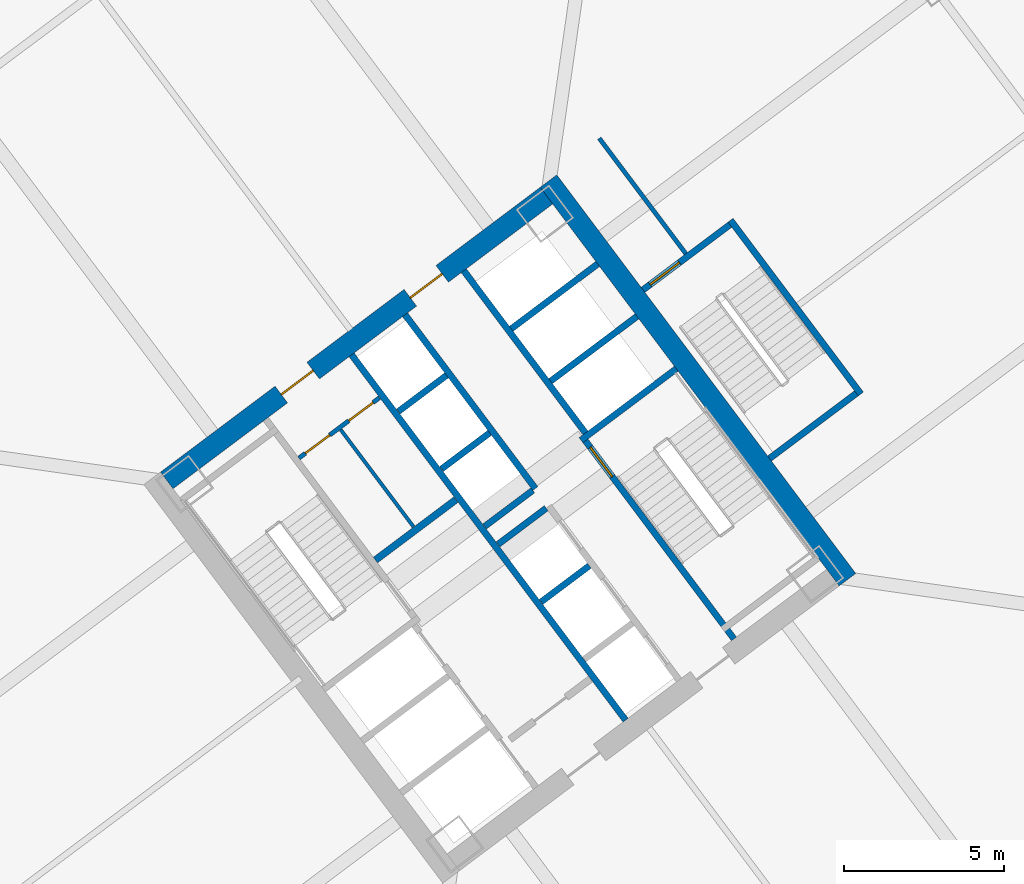
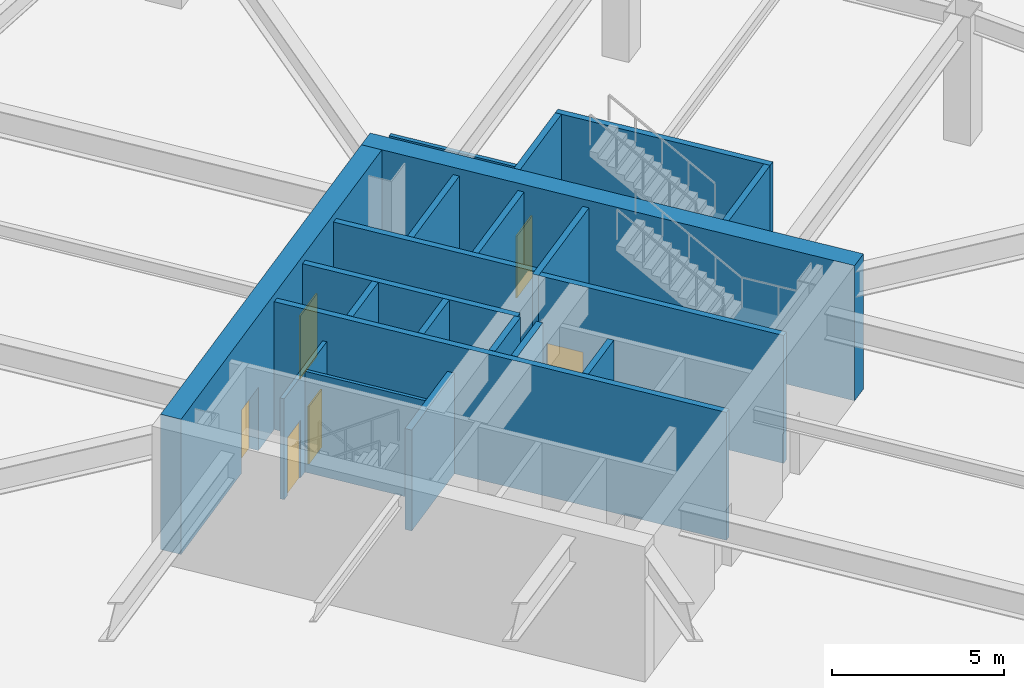
# One storey, part 33 of 44: 21 walls, 6 doors, 6 openings.
"""IFC4 building model written with IfcOpenShell, lengths in metres."""

import ifcopenshell
import ifcopenshell.guid

model = None  # the IFC model being written
_history = None  # IfcOwnerHistory: only IFC2X3 demands one
_inside = {}  # id of a spatial element -> (the spatial element, [elements in it])
_under = {}  # id of a project, library or spatial element -> (it, [spatial elements below it])
_declared = {}  # id of a project -> (the project, [libraries it declares])
_typed = {}  # id of a type object -> (the type object, [elements of that type])
_made_of = {}  # id of a material, layer set ... -> (it, [elements and type objects made of it])


def new_model(schema):
    """Start an empty IFC model of exactly this schema.

    Asked for "IFC4X3", IfcOpenShell would pick the latest addendum, in which some entities
    have other attributes; the version numbers below select the first issue.
    IFC2X3 requires an IfcOwnerHistory on every rooted entity: one is made here for all.
    """
    global model, _history
    if schema == "IFC4X3":
        model = ifcopenshell.file(schema_version=(4, 3, 0, 0))
    else:
        model = ifcopenshell.file(schema=schema)
    _inside.clear()
    _under.clear()
    _declared.clear()
    _typed.clear()
    _made_of.clear()
    _history = None
    if model.schema == "IFC2X3":
        org = make("IfcOrganization", Name="unknown")
        user = make(
            "IfcPersonAndOrganization",
            ThePerson=make("IfcPerson", FamilyName="unknown"),
            TheOrganization=org,
        )
        app = make(
            "IfcApplication",
            ApplicationDeveloper=org,
            Version="unknown",
            ApplicationFullName="unknown",
            ApplicationIdentifier="unknown",
        )
        _history = make(
            "IfcOwnerHistory",
            OwningUser=user,
            OwningApplication=app,
            ChangeAction="ADDED",
            CreationDate=0,
        )
    return model


def make(cls, **values):
    """One entity of the class cls with the attributes given. An attribute that is None is left unset."""
    return model.create_entity(
        cls, **{name: value for name, value in values.items() if value is not None}
    )


def rooted(cls, **values):
    """An entity with a GlobalId (a new one), such as an element, a storey or a relation."""
    return make(cls, GlobalId=ifcopenshell.guid.new(), OwnerHistory=_history, **values)


def si_unit(unit_type, name, prefix=None):
    """IfcSIUnit, for example si_unit("LENGTHUNIT", "METRE", prefix="MILLI")."""
    return make("IfcSIUnit", UnitType=unit_type, Prefix=prefix, Name=name)


def assignment(units):
    """IfcUnitAssignment: the units of a project."""
    return None if units is None else make("IfcUnitAssignment", Units=units)


def point(xyz):
    """IfcCartesianPoint."""
    return None if xyz is None else make("IfcCartesianPoint", Coordinates=xyz)


def direction(xyz):
    """IfcDirection."""
    return None if xyz is None else make("IfcDirection", DirectionRatios=xyz)


def frame(location, z_axis=None, x_axis=None):
    """IfcAxis2Placement3D, a coordinate frame: its origin and axes. An axis left out is left unset."""
    return make(
        "IfcAxis2Placement3D",
        Location=point(location),
        Axis=direction(z_axis),
        RefDirection=direction(x_axis),
    )


def frame_2d(location, x_axis=None):
    """IfcAxis2Placement2D, a coordinate frame in the plane: its origin and x axis."""
    return make(
        "IfcAxis2Placement2D", Location=point(location), RefDirection=direction(x_axis)
    )


def origin():
    """The frame at (0, 0, 0) with its axes left unset."""
    return frame((0.0, 0.0, 0.0))


def place(relative_to, where):
    """IfcLocalPlacement: puts the frame where relative to a parent placement (None: the world)."""
    return make(
        "IfcLocalPlacement", PlacementRelTo=relative_to, RelativePlacement=where
    )


def context(
    kind, dimensions, precision=None, world=None, true_north=None, identifier=None
):
    """IfcGeometricRepresentationContext, for example the 3D "Model" context."""
    return make(
        "IfcGeometricRepresentationContext",
        ContextIdentifier=identifier,
        ContextType=kind,
        CoordinateSpaceDimension=dimensions,
        Precision=precision,
        WorldCoordinateSystem=world,
        TrueNorth=true_north,
    )


def subcontext(parent, identifier, kind, view, scale=None):
    """IfcGeometricRepresentationSubContext, for example "Body" below "Model"."""
    return make(
        "IfcGeometricRepresentationSubContext",
        ContextIdentifier=identifier,
        ContextType=kind,
        ParentContext=parent,
        TargetScale=scale,
        TargetView=view,
    )


def project(units=None, contexts=None):
    """IfcProject with its units and contexts."""
    return rooted(
        "IfcProject",
        Name="project",
        RepresentationContexts=contexts,
        UnitsInContext=assignment(units),
    )


def spatial(cls, under=None, at=None, **own):
    """A site, building, storey or space (cls), placed at a placement, below another one or the project."""
    s = rooted(cls, ObjectPlacement=at, **own)
    if under is not None:
        _under.setdefault(under.id(), (under, []))[1].append(s)
    return s


def profile(cls, at=None, kind="AREA", **sizes):
    """A parametric profile (cls). Its sizes go by their IFC names, for example OverallWidth=200.0."""
    return make(cls, ProfileType=kind, Position=at, **sizes)


def rectangle(**sizes):
    """IfcRectangleProfileDef."""
    return profile("IfcRectangleProfileDef", **sizes)


def extrude(swept, where, along, depth):
    """IfcExtrudedAreaSolid: the profile swept, set in the frame where, extruded along a direction by depth."""
    return make(
        "IfcExtrudedAreaSolid",
        SweptArea=swept,
        Position=where,
        ExtrudedDirection=direction(along),
        Depth=depth,
    )


def shape(context_of_items, identifier, shape_type, items):
    """IfcShapeRepresentation: the items that make up one representation, for example the "Body"."""
    return make(
        "IfcShapeRepresentation",
        ContextOfItems=context_of_items,
        RepresentationIdentifier=identifier,
        RepresentationType=shape_type,
        Items=items,
    )


def material(Name=None, Category=None):
    """IfcMaterial."""
    return make("IfcMaterial", Name=Name, Category=Category)


def layer(
    of_material, thickness, ventilated=None, Name=None, Category=None, Priority=None
):
    """IfcMaterialLayer: one layer of a wall or slab, of a material (None: an air gap)."""
    return make(
        "IfcMaterialLayer",
        Material=of_material,
        LayerThickness=thickness,
        IsVentilated=ventilated,
        Name=Name,
        Category=Category,
        Priority=Priority,
    )


def layer_set(layers, Name=None):
    """IfcMaterialLayerSet."""
    return make("IfcMaterialLayerSet", MaterialLayers=layers, LayerSetName=Name)


def made_of(thing, what):
    """Note that an element or type object is made of a material, layer set ...; save() writes the relation."""
    if what is not None:
        _made_of.setdefault(what.id(), (what, []))[1].append(thing)
    return thing


def type_object(cls, material=None, **own):
    """A type object (cls), such as IfcWallType, which elements share."""
    return made_of(rooted(cls, **own), material)


def element(
    cls,
    number,
    at=None,
    inside=None,
    cuts=None,
    type_object=None,
    material=None,
    context=None,
    identifier="Body",
    shape_type=None,
    held_by="IfcProductDefinitionShape",
    body=None,
    shapes=None,
    **own,
):
    """One element of the class cls, such as IfcWall. Its Tag is "e" and its number.

    at: its placement. inside: the storey or other place that contains it. cuts: it is an
    opening in that element (IfcRelVoidsElement). A single representation is given by context,
    identifier, shape_type and body (its items); several are given by shapes. held_by: the class
    of the entity that holds the representations. save() writes the other relations.
    """
    e = rooted(cls, Tag="e%d" % number, ObjectPlacement=at, **own)
    if body is not None:
        shapes = [shape(context, identifier, shape_type, body)]
    if shapes is not None:
        e.Representation = make(held_by, Representations=shapes)
    if inside is not None:
        _inside.setdefault(inside.id(), (inside, []))[1].append(e)
    if cuts is not None:
        rooted(
            "IfcRelVoidsElement", RelatingBuildingElement=cuts, RelatedOpeningElement=e
        )
    if type_object is not None:
        _typed.setdefault(type_object.id(), (type_object, []))[1].append(e)
    return made_of(e, material)


def fill(opening, filler):
    """IfcRelFillsElement: the door or window that sits in an opening."""
    return rooted(
        "IfcRelFillsElement",
        RelatingOpeningElement=opening,
        RelatedBuildingElement=filler,
    )


def aggregate(whole, parts):
    """IfcRelAggregates: a whole, such as a stair, and the parts it consists of."""
    return rooted("IfcRelAggregates", RelatingObject=whole, RelatedObjects=parts)


def save(model, path):
    """Write the relations noted so far, then the file.

    IfcRelAggregates (storeys below a building ...), IfcRelContainedInSpatialStructure (elements
    in a storey), IfcRelDefinesByType, IfcRelAssociatesMaterial and IfcRelDeclares: one each for
    every whole, place, type object, material and project.
    """
    for whole, parts in _under.values():
        aggregate(whole, parts)
    for where, things in _inside.values():
        rooted(
            "IfcRelContainedInSpatialStructure",
            RelatedElements=things,
            RelatingStructure=where,
        )
    for kind, things in _typed.values():
        rooted("IfcRelDefinesByType", RelatedObjects=things, RelatingType=kind)
    for what, things in _made_of.values():
        rooted("IfcRelAssociatesMaterial", RelatedObjects=things, RelatingMaterial=what)
    for by, libraries in _declared.values():
        rooted("IfcRelDeclares", RelatingContext=by, RelatedDefinitions=libraries)
    model.write(path)


model = new_model("IFC4")

# Units and contexts
model_context = context("Model", 3, precision=1e-05, world=origin(), true_north=direction((0.0, 1.0)))
body_context = subcontext(model_context, "Body", "Model", "MODEL_VIEW")
ifc_project = project(units=[si_unit("LENGTHUNIT", "METRE"), si_unit("AREAUNIT", "SQUARE_METRE"), si_unit("VOLUMEUNIT", "CUBIC_METRE"), si_unit("PLANEANGLEUNIT", "RADIAN"), si_unit("MASSUNIT", "GRAM", prefix="KILO")], contexts=[model_context])

# Site, building, storey
site_placement = place(None, origin())
site = spatial("IfcSite", under=ifc_project, at=site_placement, CompositionType="ELEMENT")
building_placement = place(site_placement, origin())
building = spatial("IfcBuilding", under=site, at=building_placement, Name="Tashvorn Skyway Center", CompositionType="ELEMENT")
storey_placement = place(building_placement, frame((0.0, 0.0, 5.39990234375)))
storey = spatial("IfcBuildingStorey", under=building, at=storey_placement, Name="L01", CompositionType="ELEMENT", Elevation=5.39990234375)

# Wall
ifc_material_1 = material(Name="Concrete C60/75", Category="concrete")
ifc_layer_1 = layer(ifc_material_1, 0.64990234375)
ifc_layer_set_1 = layer_set([ifc_layer_1], Name="Concrete C60/75")
wall_type_1 = type_object("IfcWallType", Name="WALL-CORE-650", PredefinedType="SHEAR", material=ifc_layer_set_1)
wall_1_placement = place(storey_placement, frame((115.52392578125, 42.89306640625, 0.0), z_axis=(0.0, 0.0, 1.0), x_axis=(0.600005007985, -0.799996243986, 0.0)))
element("IfcWall", 1, at=wall_1_placement, inside=storey, type_object=wall_type_1, Name="Tower 2 L01 East Core Shear Wall", PredefinedType="SHEAR", context=body_context, shape_type="SweptSolid", body=[
    extrude(rectangle(XDim=15.60009765625, YDim=0.64990234375, at=frame_2d((7.800048828125, 0.0))), origin(), (0.0, 0.0, 1.0), 4.800048828125),
])

# Wall, openings, doors
wall_2_placement = place(storey_placement, frame((103.571044921875, 33.52197265625, 0.0), z_axis=(0.0, 0.0, 1.0), x_axis=(0.799998028465, 0.600002628705, 0.0)))
wall_2 = element("IfcWall", 2, at=wall_2_placement, inside=storey, type_object=wall_type_1, Name="Tower 2 L01 North Core Shear Wall", PredefinedType="SHEAR", context=body_context, shape_type="SweptSolid", body=[
    extrude(rectangle(XDim=14.85986328125, YDim=0.64990234375, at=frame_2d((7.429931640625, 0.0))), origin(), (0.0, 0.0, 1.0), 4.800048828125),
])
opening_1_placement = place(wall_2_placement, frame((4.47998046875, 0.0, 0.0)))
opening_1 = element("IfcOpeningElement", 3, at=opening_1_placement, cuts=wall_2, Name="Opening D-FFL-1250", PredefinedType="OPENING", context=body_context, shape_type="SweptSolid", body=[
    extrude(rectangle(XDim=1.25, YDim=2.25, at=frame_2d((0.625, 1.125))), frame((0.0, 0.3349609375, 0.0), z_axis=(0.0, -1.0, 0.0), x_axis=(1.0, 0.0, 0.0)), (0.0, 0.0, 1.0), 0.669921875),
])
opening_2_placement = place(wall_2_placement, frame((9.530029296875, 0.0, 0.0)))
opening_2 = element("IfcOpeningElement", 4, at=opening_2_placement, cuts=wall_2, Name="Opening D-FFL-1250", PredefinedType="OPENING", context=body_context, shape_type="SweptSolid", body=[
    extrude(rectangle(XDim=1.25, YDim=2.25, at=frame_2d((0.625, 1.125))), frame((0.0, 0.3349609375, 0.0), z_axis=(0.0, -1.0, 0.0), x_axis=(1.0, 0.0, 0.0)), (0.0, 0.0, 1.0), 0.669921875),
])
ifc_material_2 = material(Name="Hollow galvanized steel fire door assembly", Category="steel")
door_type_1 = type_object("IfcDoorType", Name="DOOR-FFL-1250", OperationType="NOTDEFINED", PredefinedType="DOOR", material=ifc_material_2)
door_1_placement = place(opening_1_placement, origin())
door_1 = element("IfcDoor", 5, at=door_1_placement, inside=storey, type_object=door_type_1, Name="Tower 2 L01 Core North Service Lobby Door", OperationType="SINGLE_SWING_LEFT", OverallHeight=2.25, OverallWidth=1.25, PredefinedType="DOOR", context=body_context, shape_type="SweptSolid", body=[
    extrude(rectangle(XDim=1.25, YDim=2.25, at=frame_2d((0.625, 1.125))), frame((0.0, 0.02490234375, 0.0), z_axis=(0.0, -1.0, 0.0), x_axis=(1.0, 0.0, 0.0)), (0.0, 0.0, 1.0), 0.050048828125),
])
fill(opening_1, door_1)
door_2_placement = place(opening_2_placement, origin())
door_2 = element("IfcDoor", 6, at=door_2_placement, inside=storey, type_object=door_type_1, Name="Tower 2 L01 Core North Lift Lobby Door", OperationType="SINGLE_SWING_RIGHT", OverallHeight=2.25, OverallWidth=1.25, PredefinedType="DOOR", context=body_context, shape_type="SweptSolid", body=[
    extrude(rectangle(XDim=1.25, YDim=2.25, at=frame_2d((0.625, 1.125))), frame((0.0, 0.02490234375, 0.0), z_axis=(0.0, -1.0, 0.0), x_axis=(1.0, 0.0, 0.0)), (0.0, 0.0, 1.0), 0.050048828125),
])
fill(opening_2, door_2)

# Walls
ifc_material_3 = material(Name="Concrete C40/50", Category="concrete")
ifc_layer_2 = layer(ifc_material_3, 0.219970703125)
ifc_layer_set_2 = layer_set([ifc_layer_2], Name="Concrete C40/50")
wall_type_2 = type_object("IfcWallType", Name="WALL-FFL-220", PredefinedType="SOLIDWALL", material=ifc_layer_set_2)
wall_3_placement = place(storey_placement, frame((110.10400390625, 31.028076171875, 0.0), z_axis=(0.0, 0.0, 1.0), x_axis=(0.800018601094, 0.59997519774, 0.0)))
element("IfcWall", 7, at=wall_3_placement, inside=storey, type_object=wall_type_2, Name="Tower 2 L01 Firefighting Lobby North Wall", PredefinedType="SOLIDWALL", context=body_context, shape_type="SweptSolid", body=[
    extrude(rectangle(XDim=3.14990234375, YDim=0.219970703125, at=frame_2d((1.574951171875, 0.0))), origin(), (0.0, 0.0, 1.0), 3.5830078125),
])
ifc_material_4 = material(Name="Gypsum board on cold-formed steel stud framing", Category="steel")
ifc_layer_3 = layer(ifc_material_4, 0.135009765625)
ifc_layer_set_3 = layer_set([ifc_layer_3], Name="Gypsum board on cold-formed steel stud framing")
wall_type_3 = type_object("IfcWallType", Name="WALL-PART-135", PredefinedType="PARTITIONING", material=ifc_layer_set_3)
wall_4_placement = place(storey_placement, frame((119.823974609375, 40.617919921875, 0.0), z_axis=(0.0, 0.0, 1.0), x_axis=(-0.59999135767, 0.800006481675, 0.0)))
element("IfcWall", 8, at=wall_4_placement, inside=storey, type_object=wall_type_3, Name="Tower 2 L01 Stair 3 Access Corridor Wall", PredefinedType="PARTITIONING", context=body_context, shape_type="SweptSolid", body=[
    extrude(rectangle(XDim=4.52001953125, YDim=0.135009765625, at=frame_2d((2.260009765625, 0.0))), origin(), (0.0, 0.0, 1.0), 3.5830078125),
])
ifc_layer_4 = layer(ifc_material_4, 0.110107421875)
ifc_layer_set_4 = layer_set([ifc_layer_4], Name="Gypsum board on cold-formed steel stud framing")
wall_type_4 = type_object("IfcWallType", Name="WALL-RATED-110", PredefinedType="PARTITIONING", material=ifc_layer_set_4)
wall_5_placement = place(storey_placement, frame((111.2958984375, 32.072021484375, 0.0), z_axis=(0.0, 0.0, 1.0), x_axis=(-0.59995887973, 0.800030838552, 0.0)))
element("IfcWall", 9, at=wall_5_placement, inside=storey, type_object=wall_type_4, Name="Tower 2 L01 Core Split Partition", PredefinedType="PARTITIONING", context=body_context, shape_type="SweptSolid", body=[
    extrude(rectangle(XDim=3.7998046875, YDim=0.110107421875, at=frame_2d((1.89990234375, 0.0))), origin(), (0.0, 0.0, 1.0), 3.5830078125),
])

# Wall, openings, doors
ifc_layer_5 = layer(ifc_material_4, 0.135009765625)
ifc_layer_set_5 = layer_set([ifc_layer_5], Name="Gypsum board on cold-formed steel stud framing")
wall_type_5 = type_object("IfcWallType", Name="WALL-RATED-135", PredefinedType="PARTITIONING", material=ifc_layer_set_5)
wall_6_placement = place(storey_placement, frame((107.7099609375, 34.219970703125, 0.0), z_axis=(0.0, 0.0, 1.0), x_axis=(0.799981399002, 0.60002480053, 0.0)))
wall_6 = element("IfcWall", 10, at=wall_6_placement, inside=storey, type_object=wall_type_5, Name="Tower 2 L01 Core Service Lobby Wall", PredefinedType="PARTITIONING", context=body_context, shape_type="SweptSolid", body=[
    extrude(rectangle(XDim=3.150146484375, YDim=0.135009765625, at=frame_2d((1.5751953125, 0.0))), origin(), (0.0, 0.0, 1.0), 3.5830078125),
])
opening_3_placement = place(wall_6_placement, frame((0.25, 0.0, 0.0)))
opening_3 = element("IfcOpeningElement", 11, at=opening_3_placement, cuts=wall_6, Name="Opening D-RT-950", PredefinedType="OPENING", context=body_context, shape_type="SweptSolid", body=[
    extrude(rectangle(XDim=0.949951171875, YDim=2.050048828125, at=frame_2d((0.47509765625, 1.02490234375))), frame((0.0, 0.077392578125, 0.0), z_axis=(0.0, -1.0, 0.0), x_axis=(1.0, 0.0, 0.0)), (0.0, 0.0, 1.0), 0.155029296875),
])
opening_4_placement = place(wall_6_placement, frame((1.949951171875, 0.0, 0.0)))
opening_4 = element("IfcOpeningElement", 12, at=opening_4_placement, cuts=wall_6, Name="Opening D-RT-950", PredefinedType="OPENING", context=body_context, shape_type="SweptSolid", body=[
    extrude(rectangle(XDim=0.949951171875, YDim=2.050048828125, at=frame_2d((0.47509765625, 1.02490234375))), frame((0.0, 0.077392578125, 0.0), z_axis=(0.0, -1.0, 0.0), x_axis=(1.0, 0.0, 0.0)), (0.0, 0.0, 1.0), 0.155029296875),
])
door_type_2 = type_object("IfcDoorType", Name="DOOR-RATED-950", OperationType="NOTDEFINED", PredefinedType="DOOR", material=ifc_material_2)
door_3_placement = place(opening_3_placement, origin())
door_3 = element("IfcDoor", 13, at=door_3_placement, inside=storey, type_object=door_type_2, Name="Tower 2 L01 Core Accessible WC Door", OperationType="SINGLE_SWING_LEFT", OverallHeight=2.050048828125, OverallWidth=0.949951171875, PredefinedType="DOOR", context=body_context, shape_type="SweptSolid", body=[
    extrude(rectangle(XDim=0.949951171875, YDim=2.050048828125, at=frame_2d((0.47509765625, 1.02490234375))), frame((0.0, 0.02490234375, 0.0), z_axis=(0.0, -1.0, 0.0), x_axis=(1.0, 0.0, 0.0)), (0.0, 0.0, 1.0), 0.050048828125),
])
fill(opening_3, door_3)
door_4_placement = place(opening_4_placement, origin())
door_4 = element("IfcDoor", 14, at=door_4_placement, inside=storey, type_object=door_type_2, Name="Tower 2 L01 Core Cleaner Store Door", OperationType="SINGLE_SWING_RIGHT", OverallHeight=2.050048828125, OverallWidth=0.949951171875, PredefinedType="DOOR", context=body_context, shape_type="SweptSolid", body=[
    extrude(rectangle(XDim=0.949951171875, YDim=2.050048828125, at=frame_2d((0.47509765625, 1.02490234375))), frame((0.0, 0.02490234375, 0.0), z_axis=(0.0, -1.0, 0.0), x_axis=(1.0, 0.0, 0.0)), (0.0, 0.0, 1.0), 0.050048828125),
])
fill(opening_4, door_4)

# Walls
ifc_layer_6 = layer(ifc_material_3, 0.199951171875)
ifc_layer_set_6 = layer_set([ifc_layer_6], Name="Concrete C40/50")
wall_type_6 = type_object("IfcWallType", Name="WALL-SHAFT-200", PredefinedType="SOLIDWALL", material=ifc_layer_set_6)
for number, where, z_axis, x_axis, name in (
    (15, (115.590087890625, 36.6298828125, 0.0), (0.0, 0.0, 1.0), (0.799973995579, 0.600034670996, 0.0), "Tower 2 L01 High-Rise Shaft Divider"),
    (16, (114.360107421875, 38.27001953125, 0.0), (0.0, 0.0, 1.0), (0.799973995579, 0.600034670996, 0.0), "Tower 2 L01 High-Rise Shaft Divider"),
):
    element("IfcWall", number, at=place(storey_placement, frame(where, z_axis=z_axis, x_axis=x_axis)), inside=storey, type_object=wall_type_6, Name=name, PredefinedType="SOLIDWALL", context=body_context, shape_type="SweptSolid", body=[
        extrude(rectangle(XDim=3.3798828125, YDim=0.199951171875, at=frame_2d((1.68994140625, 0.0))), origin(), (0.0, 0.0, 1.0), 4.5400390625),
    ])
wall_7_placement = place(storey_placement, frame((115.2958984375, 29.721923828125, 0.0), z_axis=(0.0, 0.0, 1.0), x_axis=(0.799984418148, 0.600020775241, 0.0)))
element("IfcWall", 17, at=wall_7_placement, inside=storey, type_object=wall_type_6, Name="Tower 2 L01 Low-Rise Shaft Divider", PredefinedType="SOLIDWALL", context=body_context, shape_type="SweptSolid", body=[
    extrude(rectangle(XDim=1.880126953125, YDim=0.199951171875, at=frame_2d((0.93994140625, 0.0))), origin(), (0.0, 0.0, 1.0), 4.5400390625),
])
wall_8_placement = place(storey_placement, frame((113.946044921875, 31.52197265625, 0.0), z_axis=(0.0, 0.0, 1.0), x_axis=(0.8, 0.6, 0.0)))
element("IfcWall", 18, at=wall_8_placement, inside=storey, type_object=wall_type_6, Name="Tower 2 L01 Low-Rise Shaft Divider", PredefinedType="SOLIDWALL", context=body_context, shape_type="SweptSolid", body=[
    extrude(rectangle(XDim=1.8798828125, YDim=0.199951171875, at=frame_2d((0.93994140625, 0.0))), origin(), (0.0, 0.0, 1.0), 4.5400390625),
])
wall_9_placement = place(storey_placement, frame((115.110107421875, 33.27001953125, 0.0), z_axis=(0.0, 0.0, 1.0), x_axis=(-0.600011488909, 0.79999138319, 0.0)))
element("IfcWall", 19, at=wall_9_placement, inside=storey, type_object=wall_type_6, Name="Tower 2 L01 Mid-Rise Core Wall", PredefinedType="SOLIDWALL", context=body_context, shape_type="SweptSolid", body=[
    extrude(rectangle(XDim=6.800048828125, YDim=0.199951171875, at=frame_2d((3.39990234375, 0.0))), origin(), (0.0, 0.0, 1.0), 4.5400390625),
])
wall_10_placement = place(storey_placement, frame((113.52587890625, 32.08203125, 0.0), z_axis=(0.0, 0.0, 1.0), x_axis=(0.800046745961, 0.599937666993, 0.0)))
element("IfcWall", 20, at=wall_10_placement, inside=storey, type_object=wall_type_6, Name="Tower 2 L01 Mid-Rise Shaft Divider", PredefinedType="SOLIDWALL", context=body_context, shape_type="SweptSolid", body=[
    extrude(rectangle(XDim=1.880126953125, YDim=0.199951171875, at=frame_2d((0.93994140625, 0.0))), origin(), (0.0, 0.0, 1.0), 4.5400390625),
])
wall_11_placement = place(storey_placement, frame((112.176025390625, 33.882080078125, 0.0), z_axis=(0.0, 0.0, 1.0), x_axis=(0.8, 0.6, 0.0)))
element("IfcWall", 21, at=wall_11_placement, inside=storey, type_object=wall_type_6, Name="Tower 2 L01 Mid-Rise Shaft Divider", PredefinedType="SOLIDWALL", context=body_context, shape_type="SweptSolid", body=[
    extrude(rectangle(XDim=1.8798828125, YDim=0.199951171875, at=frame_2d((0.93994140625, 0.0))), origin(), (0.0, 0.0, 1.0), 4.5400390625),
])
wall_12_placement = place(storey_placement, frame((110.825927734375, 35.681884765625, 0.0), z_axis=(0.0, 0.0, 1.0), x_axis=(0.799984418148, 0.600020775241, 0.0)))
element("IfcWall", 22, at=wall_12_placement, inside=storey, type_object=wall_type_6, Name="Tower 2 L01 Mid-Rise Shaft Divider", PredefinedType="SOLIDWALL", context=body_context, shape_type="SweptSolid", body=[
    extrude(rectangle(XDim=1.880126953125, YDim=0.199951171875, at=frame_2d((0.93994140625, 0.0))), origin(), (0.0, 0.0, 1.0), 4.5400390625),
])

# Wall, opening, door
ifc_layer_7 = layer(ifc_material_3, 0.199951171875)
ifc_layer_set_7 = layer_set([ifc_layer_7], Name="Concrete C40/50")
wall_type_7 = type_object("IfcWallType", Name="WALL-STSHF-200", PredefinedType="SHEAR", material=ifc_layer_set_7)
wall_13_placement = place(storey_placement, frame((116.56005859375, 34.919921875, 0.0), z_axis=(0.0, 0.0, 1.0), x_axis=(0.600009827119, -0.799992629566, 0.0)))
wall_13 = element("IfcWall", 23, at=wall_13_placement, inside=storey, type_object=wall_type_7, Name="Tower 2 L01 Stair 2 Enclosure Wall", PredefinedType="SHEAR", context=body_context, shape_type="SweptSolid", body=[
    extrude(rectangle(XDim=7.949951171875, YDim=0.199951171875, at=frame_2d((3.97509765625, 0.0))), origin(), (0.0, 0.0, 1.0), 4.5400390625),
])
opening_5_placement = place(wall_13_placement, frame((0.449951171875, 0.0, 0.0)))
opening_5 = element("IfcOpeningElement", 24, at=opening_5_placement, cuts=wall_13, Name="Opening D-ST-1150", PredefinedType="OPENING", context=body_context, shape_type="SweptSolid", body=[
    extrude(rectangle(XDim=1.14990234375, YDim=2.199951171875, at=frame_2d((0.574951171875, 1.10009765625))), frame((0.0, 0.10986328125, 0.0), z_axis=(0.0, -1.0, 0.0), x_axis=(1.0, 0.0, 0.0)), (0.0, 0.0, 1.0), 0.219970703125),
])
door_type_3 = type_object("IfcDoorType", Name="DOOR-STAIR-1150", OperationType="NOTDEFINED", PredefinedType="DOOR", material=ifc_material_2)
door_5_placement = place(opening_5_placement, origin())
door_5 = element("IfcDoor", 25, at=door_5_placement, inside=storey, type_object=door_type_3, Name="Tower 2 L01 Exit Stair 2 Door", OperationType="SINGLE_SWING_RIGHT", OverallHeight=2.199951171875, OverallWidth=1.14990234375, PredefinedType="DOOR", context=body_context, shape_type="SweptSolid", body=[
    extrude(rectangle(XDim=1.14990234375, YDim=2.199951171875, at=frame_2d((0.574951171875, 1.10009765625))), frame((0.0, 0.02490234375, 0.0), z_axis=(0.0, -1.0, 0.0), x_axis=(1.0, 0.0, 0.0)), (0.0, 0.0, 1.0), 0.050048828125),
])
fill(opening_5, door_5)

# Walls
wall_14_placement = place(storey_placement, frame((116.5400390625, 34.780029296875, 0.0), z_axis=(0.0, 0.0, 1.0), x_axis=(0.799984290658, 0.600020945218, 0.0)))
element("IfcWall", 26, at=wall_14_placement, inside=storey, type_object=wall_type_7, Name="Tower 2 L01 Stair 2 North Wall", PredefinedType="SHEAR", context=body_context, shape_type="SweptSolid", body=[
    extrude(rectangle(XDim=3.72998046875, YDim=0.199951171875, at=frame_2d((1.864990234375, 0.0))), origin(), (0.0, 0.0, 1.0), 4.5400390625),
])
wall_15_placement = place(storey_placement, frame((117.93798828125, 26.01611328125, 0.0), z_axis=(0.0, 0.0, 1.0), x_axis=(-0.600005463273, 0.799995902516, 0.0)))
element("IfcWall", 27, at=wall_15_placement, inside=storey, type_object=wall_type_7, Name="Tower 2 L01 Firefighting Lobby East Smoke Barrier", PredefinedType="SHEAR", context=body_context, shape_type="SweptSolid", body=[
    extrude(rectangle(XDim=14.300048828125, YDim=0.199951171875, at=frame_2d((7.14990234375, 0.0))), origin(), (0.0, 0.0, 1.0), 4.5400390625),
])
wall_16_placement = place(storey_placement, frame((112.8701171875, 40.090087890625, 0.0), z_axis=(0.0, 0.0, 1.0), x_axis=(0.599975393228, -0.800018454488, 0.0)))
element("IfcWall", 28, at=wall_16_placement, inside=storey, type_object=wall_type_7, Name="Tower 2 L01 High-Rise Lift Shaft Front Wall", PredefinedType="SHEAR", context=body_context, shape_type="SweptSolid", body=[
    extrude(rectangle(XDim=6.349853515625, YDim=0.199951171875, at=frame_2d((3.1748046875, 0.0))), origin(), (0.0, 0.0, 1.0), 4.5400390625),
])
wall_17_placement = place(storey_placement, frame((125.303955078125, 36.22802734375, 0.0), z_axis=(0.0, 0.0, 1.0), x_axis=(-0.59998851072, 0.800008616831, 0.0)))
element("IfcWall", 29, at=wall_17_placement, inside=storey, type_object=wall_type_7, Name="Tower 2 L01 Stair 3 Outer Wall", PredefinedType="SHEAR", context=body_context, shape_type="SweptSolid", body=[
    extrude(rectangle(XDim=6.7998046875, YDim=0.199951171875, at=frame_2d((3.39990234375, 0.0))), origin(), (0.0, 0.0, 1.0), 4.5400390625),
])

# Wall, opening, door
wall_18_placement = place(storey_placement, frame((121.2041015625, 41.528076171875, 0.0), z_axis=(0.0, 0.0, 1.0), x_axis=(-0.800017232136, -0.599977023131, 0.0)))
wall_18 = element("IfcWall", 30, at=wall_18_placement, inside=storey, type_object=wall_type_7, Name="Tower 2 L01 Stair 3 Enclosure Wall", PredefinedType="SHEAR", context=body_context, shape_type="SweptSolid", body=[
    extrude(rectangle(XDim=3.400146484375, YDim=0.199951171875, at=frame_2d((1.7001953125, 0.0))), origin(), (0.0, 0.0, 1.0), 4.5400390625),
])
opening_6_placement = place(wall_18_placement, frame((1.97509765625, 0.0, 0.0)))
opening_6 = element("IfcOpeningElement", 31, at=opening_6_placement, cuts=wall_18, Name="Opening D-ST-1150", PredefinedType="OPENING", context=body_context, shape_type="SweptSolid", body=[
    extrude(rectangle(XDim=1.14990234375, YDim=2.199951171875, at=frame_2d((0.574951171875, 1.10009765625))), frame((0.0, 0.10986328125, 0.0), z_axis=(0.0, -1.0, 0.0), x_axis=(1.0, 0.0, 0.0)), (0.0, 0.0, 1.0), 0.219970703125),
])
door_6_placement = place(opening_6_placement, origin())
door_6 = element("IfcDoor", 32, at=door_6_placement, inside=storey, type_object=door_type_3, Name="Tower 2 L01 Exit Stair 3 Door", OperationType="SINGLE_SWING_RIGHT", OverallHeight=2.199951171875, OverallWidth=1.14990234375, PredefinedType="DOOR", context=body_context, shape_type="SweptSolid", body=[
    extrude(rectangle(XDim=1.14990234375, YDim=2.199951171875, at=frame_2d((0.574951171875, 1.10009765625))), frame((0.0, 0.02490234375, 0.0), z_axis=(0.0, -1.0, 0.0), x_axis=(1.0, 0.0, 0.0)), (0.0, 0.0, 1.0), 0.050048828125),
])
fill(opening_6, door_6)

# Wall
wall_19_placement = place(storey_placement, frame((122.444091796875, 34.2080078125, 0.0), z_axis=(0.0, 0.0, 1.0), x_axis=(0.79999138319, 0.600011488909, 0.0)))
element("IfcWall", 33, at=wall_19_placement, inside=storey, type_object=wall_type_7, Name="Tower 2 L01 Stair 3 South Wall", PredefinedType="SHEAR", context=body_context, shape_type="SweptSolid", body=[
    extrude(rectangle(XDim=3.39990234375, YDim=0.199951171875, at=frame_2d((1.699951171875, 0.0))), origin(), (0.0, 0.0, 1.0), 4.5400390625),
])

save(model, "model.ifc")
